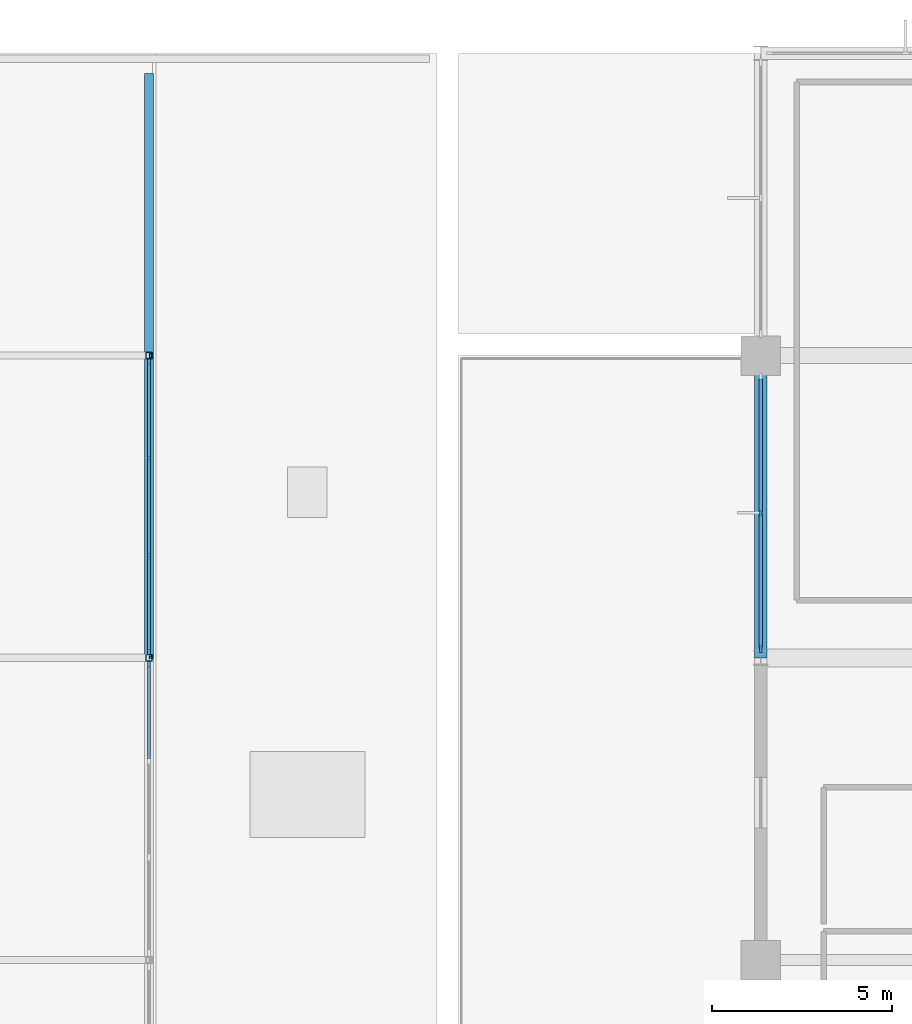
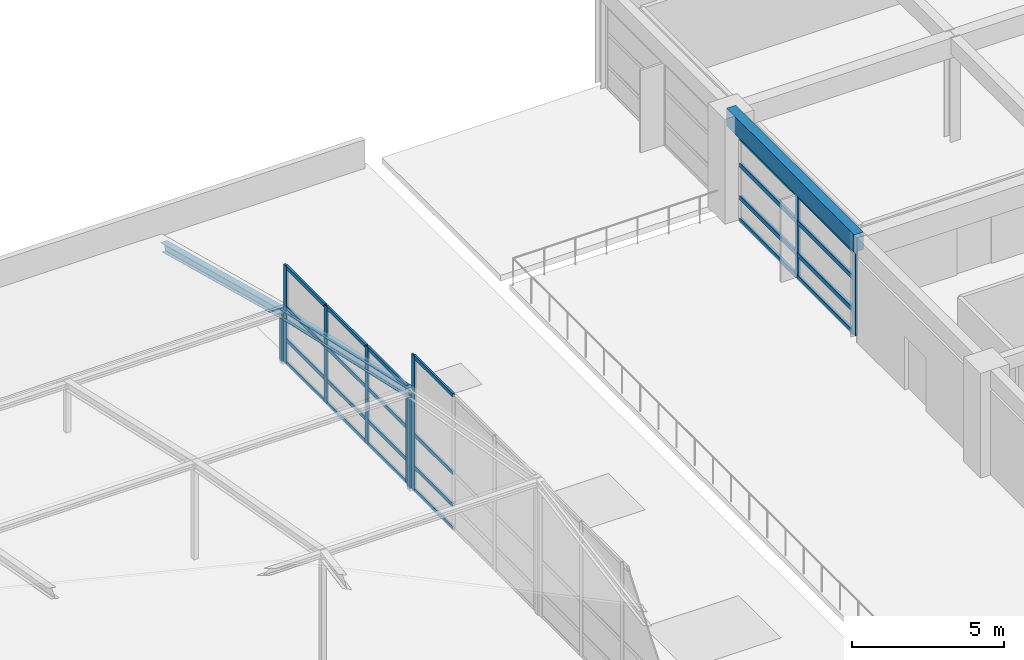
# One storey, part 23 of 34: 35 members, 1 beam, 3 elements without a shape of their own.
"""IFC4 building model written with IfcOpenShell, lengths in metres."""

from ifc_helpers import new_model, si_unit, direction, frame, origin, origin_2d, place, context, subcontext, project, spatial, rectangle, hollow_rectangle, i_section, extrude, material, material_profile, profile_set, type_object, element, aggregate, save


model = new_model("IFC4")

# Units and contexts
model_context = context("Model", 3, precision=1e-05, world=origin(), true_north=direction((0.0, 1.0)))
body_context = subcontext(model_context, "Body", "Model", "MODEL_VIEW")
ifc_project = project(units=[si_unit("LENGTHUNIT", "METRE"), si_unit("AREAUNIT", "SQUARE_METRE"), si_unit("VOLUMEUNIT", "CUBIC_METRE"), si_unit("PLANEANGLEUNIT", "RADIAN"), si_unit("MASSUNIT", "GRAM", prefix="KILO")], contexts=[model_context])

# Site, building, storey
site_placement = place(None, origin())
site = spatial("IfcSite", under=ifc_project, at=site_placement, CompositionType="ELEMENT")
building_placement = place(site_placement, origin())
building = spatial("IfcBuilding", under=site, at=building_placement, Name="Xuanlan Plaza Opera House", CompositionType="ELEMENT")
storey_placement = place(building_placement, frame((0.0, 0.0, 27.89990234375)))
storey = spatial("IfcBuildingStorey", under=building, at=storey_placement, Name="L06", CompositionType="ELEMENT", Elevation=27.89990234375)

# Curtain wall, member
ifc_material_1 = material(Name="Anodised Aluminium 6063-T6 and Low-E Glass", Category="aluminium")
curtain_wall_type_1 = type_object("IfcCurtainWallType", Name="ENV-CW-CW-06", PredefinedType="USERDEFINED", material=ifc_material_1)
curtain_wall_1_placement = place(storey_placement, origin())
curtain_wall_1 = element("IfcCurtainWall", 1, at=curtain_wall_1_placement, inside=storey, type_object=curtain_wall_type_1, Name="Acoustic Glazed Wall SHL-L06-03", ObjectType="ACOUSTIC GLAZED WALL", PredefinedType="USERDEFINED")
ifc_material_2 = material(Name="Anodised Aluminium 6063-T6", Category="aluminium")
ifc_material_profile_1 = material_profile(ifc_material_2, rectangle(XDim=0.074951171875, YDim=0.199951171875, at=origin_2d()), Name="ALU-M 75x200")
ifc_profile_set_1 = profile_set([ifc_material_profile_1], Name="Anodised Aluminium 6063-T6")
member_type_1 = type_object("IfcMemberType", Name="ENV-CWM-03", PredefinedType="MULLION", material=ifc_profile_set_1)
member_1_placement = place(storey_placement, frame((109.0, 67.012451171875, 0.0), z_axis=(0.0, 0.0, 1.0), x_axis=(-1.0, 0.0, 0.0)))
member_1 = element("IfcMember", 2, at=member_1_placement, type_object=member_type_1, Name="CW-06 mullion 4", PredefinedType="MULLION", context=body_context, shape_type="SweptSolid", body=[
    extrude(rectangle(XDim=0.074951171875, YDim=0.199951171875, at=origin_2d()), origin(), (0.0, 0.0, 1.0), 5.400146484375),
])

# Curtain wall, members
curtain_wall_2_placement = place(storey_placement, origin())
curtain_wall_2 = element("IfcCurtainWall", 3, at=curtain_wall_2_placement, inside=storey, type_object=curtain_wall_type_1, Name="Acoustic Glazed Wall SHL-L06-04", ObjectType="ACOUSTIC GLAZED WALL", PredefinedType="USERDEFINED")
member_2_placement = place(storey_placement, frame((109.0, 67.387451171875, 0.0), z_axis=(0.0, 0.0, 1.0), x_axis=(-1.0, 0.0, 0.0)))
member_2 = element("IfcMember", 4, at=member_2_placement, type_object=member_type_1, Name="CW-06 mullion 1", PredefinedType="MULLION", context=body_context, shape_type="SweptSolid", body=[
    extrude(rectangle(XDim=0.074951171875, YDim=0.199951171875, at=origin_2d()), origin(), (0.0, 0.0, 1.0), 3.900146484375),
])
member_3_placement = place(storey_placement, frame((109.0, 70.050048828125, 0.0), z_axis=(0.0, 0.0, 1.0), x_axis=(-1.0, 0.0, 0.0)))
member_3 = element("IfcMember", 5, at=member_3_placement, type_object=member_type_1, Name="CW-06 mullion 2", PredefinedType="MULLION", context=body_context, shape_type="SweptSolid", body=[
    extrude(rectangle(XDim=0.074951171875, YDim=0.199951171875, at=origin_2d()), origin(), (0.0, 0.0, 1.0), 3.900146484375),
])
member_4_placement = place(storey_placement, frame((109.0, 72.75, 0.0), z_axis=(0.0, 0.0, 1.0), x_axis=(-1.0, 0.0, 0.0)))
member_4 = element("IfcMember", 6, at=member_4_placement, type_object=member_type_1, Name="CW-06 mullion 3", PredefinedType="MULLION", context=body_context, shape_type="SweptSolid", body=[
    extrude(rectangle(XDim=0.074951171875, YDim=0.199951171875, at=origin_2d()), origin(), (0.0, 0.0, 1.0), 3.900146484375),
])
member_5_placement = place(storey_placement, frame((109.0, 75.41259765625, 0.0), z_axis=(0.0, 0.0, 1.0), x_axis=(-1.0, 0.0, 0.0)))
member_5 = element("IfcMember", 7, at=member_5_placement, type_object=member_type_1, Name="CW-06 mullion 4", PredefinedType="MULLION", context=body_context, shape_type="SweptSolid", body=[
    extrude(rectangle(XDim=0.074951171875, YDim=0.199951171875, at=origin_2d()), origin(), (0.0, 0.0, 1.0), 3.900146484375),
])

curtain_wall_type_2 = type_object("IfcCurtainWallType", Name="ENV-CW-CW-04", PredefinedType="USERDEFINED", material=ifc_material_1)
curtain_wall_3_placement = place(storey_placement, origin())
curtain_wall_3 = element("IfcCurtainWall", 8, at=curtain_wall_3_placement, inside=storey, type_object=curtain_wall_type_2, Name="Unitised Curtain Wall L06-016", ObjectType="UNITISED CURTAIN WALL", PredefinedType="USERDEFINED")
ifc_material_profile_2 = material_profile(ifc_material_2, rectangle(XDim=0.080078125, YDim=0.219970703125, at=origin_2d()), Name="ALU-M 80x220")
ifc_profile_set_2 = profile_set([ifc_material_profile_2], Name="Anodised Aluminium 6063-T6")
member_type_2 = type_object("IfcMemberType", Name="ENV-CWM-04", PredefinedType="MULLION", material=ifc_profile_set_2)
member_6_placement = place(storey_placement, frame((126.0, 71.22509765625, 0.0), z_axis=(0.0, 0.0, 1.0), x_axis=(1.0, 0.0, 0.0)))
member_6 = element("IfcMember", 9, at=member_6_placement, type_object=member_type_2, Name="CW-04 mullion 2", PredefinedType="MULLION", context=body_context, shape_type="SweptSolid", body=[
    extrude(rectangle(XDim=0.080078125, YDim=0.219970703125, at=origin_2d()), origin(), (0.0, 0.0, 1.0), 3.380126953125),
])
member_7_placement = place(storey_placement, frame((126.0, 67.4599609375, 0.0), z_axis=(0.0, 0.0, 1.0), x_axis=(1.0, 0.0, 0.0)))
member_7 = element("IfcMember", 10, at=member_7_placement, type_object=member_type_2, Name="CW-04 mullion 3", PredefinedType="MULLION", context=body_context, shape_type="SweptSolid", body=[
    extrude(rectangle(XDim=0.080078125, YDim=0.219970703125, at=origin_2d()), origin(), (0.0, 0.0, 1.0), 3.380126953125),
])

# Member
ifc_material_profile_3 = material_profile(ifc_material_2, rectangle(XDim=0.074951171875, YDim=0.14990234375, at=origin_2d()), Name="ALU-T 75x150")
ifc_profile_set_3 = profile_set([ifc_material_profile_3], Name="Anodised Aluminium 6063-T6")
member_type_3 = type_object("IfcMemberType", Name="ENV-CWT-03", PredefinedType="USERDEFINED", material=ifc_profile_set_3)
member_8_placement = place(storey_placement, frame((109.0, 64.387451171875, 0.03759765625), z_axis=(0.0, 1.0, 0.0), x_axis=(-1.0, 0.0, 0.0)))
member_8 = element("IfcMember", 11, at=member_8_placement, type_object=member_type_3, Name="CW-06 transom 3.1", ObjectType="TRANSOM", PredefinedType="USERDEFINED", context=body_context, shape_type="SweptSolid", body=[
    extrude(rectangle(XDim=0.074951171875, YDim=0.14990234375, at=origin_2d()), origin(), (0.0, 0.0, 1.0), 2.587646484375),
])

member_9_placement = place(storey_placement, frame((109.0, 64.387451171875, 0.9501953125), z_axis=(0.0, 1.0, 0.0), x_axis=(-1.0, 0.0, 0.0)))
member_9 = element("IfcMember", 12, at=member_9_placement, type_object=member_type_3, Name="CW-06 transom 3.2", ObjectType="TRANSOM", PredefinedType="USERDEFINED", context=body_context, shape_type="SweptSolid", body=[
    extrude(rectangle(XDim=0.074951171875, YDim=0.14990234375, at=origin_2d()), origin(), (0.0, 0.0, 1.0), 2.587646484375),
])

member_10_placement = place(storey_placement, frame((109.0, 64.387451171875, 2.25), z_axis=(0.0, 1.0, 0.0), x_axis=(-1.0, 0.0, 0.0)))
member_10 = element("IfcMember", 13, at=member_10_placement, type_object=member_type_3, Name="CW-06 transom 3.3", ObjectType="TRANSOM", PredefinedType="USERDEFINED", context=body_context, shape_type="SweptSolid", body=[
    extrude(rectangle(XDim=0.074951171875, YDim=0.14990234375, at=origin_2d()), origin(), (0.0, 0.0, 1.0), 2.587646484375),
])

member_11_placement = place(storey_placement, frame((109.0, 64.387451171875, 5.362548828125), z_axis=(0.0, 1.0, 0.0), x_axis=(-1.0, 0.0, 0.0)))
member_11 = element("IfcMember", 14, at=member_11_placement, type_object=member_type_3, Name="CW-06 transom 3.4", ObjectType="TRANSOM", PredefinedType="USERDEFINED", context=body_context, shape_type="SweptSolid", body=[
    extrude(rectangle(XDim=0.074951171875, YDim=0.14990234375, at=origin_2d()), origin(), (0.0, 0.0, 1.0), 2.587646484375),
])

aggregate(curtain_wall_1, [member_1, member_8, member_9, member_10, member_11])

member_12_placement = place(storey_placement, frame((109.0, 67.425048828125, 0.03759765625), z_axis=(0.0, 1.0, 0.0), x_axis=(-1.0, 0.0, 0.0)))
member_12 = element("IfcMember", 15, at=member_12_placement, type_object=member_type_3, Name="CW-06 transom 1.1", ObjectType="TRANSOM", PredefinedType="USERDEFINED", context=body_context, shape_type="SweptSolid", body=[
    extrude(rectangle(XDim=0.074951171875, YDim=0.14990234375, at=origin_2d()), origin(), (0.0, 0.0, 1.0), 2.58740234375),
])

member_13_placement = place(storey_placement, frame((109.0, 67.425048828125, 0.9501953125), z_axis=(0.0, 1.0, 0.0), x_axis=(-1.0, 0.0, 0.0)))
member_13 = element("IfcMember", 16, at=member_13_placement, type_object=member_type_3, Name="CW-06 transom 1.2", ObjectType="TRANSOM", PredefinedType="USERDEFINED", context=body_context, shape_type="SweptSolid", body=[
    extrude(rectangle(XDim=0.074951171875, YDim=0.14990234375, at=origin_2d()), origin(), (0.0, 0.0, 1.0), 2.58740234375),
])

member_14_placement = place(storey_placement, frame((109.0, 67.425048828125, 2.25), z_axis=(0.0, 1.0, 0.0), x_axis=(-1.0, 0.0, 0.0)))
member_14 = element("IfcMember", 17, at=member_14_placement, type_object=member_type_3, Name="CW-06 transom 1.3", ObjectType="TRANSOM", PredefinedType="USERDEFINED", context=body_context, shape_type="SweptSolid", body=[
    extrude(rectangle(XDim=0.074951171875, YDim=0.14990234375, at=origin_2d()), origin(), (0.0, 0.0, 1.0), 2.58740234375),
])

member_15_placement = place(storey_placement, frame((109.0, 67.425048828125, 3.862548828125), z_axis=(0.0, 1.0, 0.0), x_axis=(-1.0, 0.0, 0.0)))
member_15 = element("IfcMember", 18, at=member_15_placement, type_object=member_type_3, Name="CW-06 transom 1.4", ObjectType="TRANSOM", PredefinedType="USERDEFINED", context=body_context, shape_type="SweptSolid", body=[
    extrude(rectangle(XDim=0.074951171875, YDim=0.14990234375, at=origin_2d()), origin(), (0.0, 0.0, 1.0), 2.58740234375),
])

member_16_placement = place(storey_placement, frame((109.0, 70.08740234375, 0.03759765625), z_axis=(0.0, 1.0, 0.0), x_axis=(-1.0, 0.0, 0.0)))
member_16 = element("IfcMember", 19, at=member_16_placement, type_object=member_type_3, Name="CW-06 transom 2.1", ObjectType="TRANSOM", PredefinedType="USERDEFINED", context=body_context, shape_type="SweptSolid", body=[
    extrude(rectangle(XDim=0.074951171875, YDim=0.14990234375, at=origin_2d()), origin(), (0.0, 0.0, 1.0), 2.625),
])

member_17_placement = place(storey_placement, frame((109.0, 70.08740234375, 0.9501953125), z_axis=(0.0, 1.0, 0.0), x_axis=(-1.0, 0.0, 0.0)))
member_17 = element("IfcMember", 20, at=member_17_placement, type_object=member_type_3, Name="CW-06 transom 2.2", ObjectType="TRANSOM", PredefinedType="USERDEFINED", context=body_context, shape_type="SweptSolid", body=[
    extrude(rectangle(XDim=0.074951171875, YDim=0.14990234375, at=origin_2d()), origin(), (0.0, 0.0, 1.0), 2.625),
])

member_18_placement = place(storey_placement, frame((109.0, 70.08740234375, 2.25), z_axis=(0.0, 1.0, 0.0), x_axis=(-1.0, 0.0, 0.0)))
member_18 = element("IfcMember", 21, at=member_18_placement, type_object=member_type_3, Name="CW-06 transom 2.3", ObjectType="TRANSOM", PredefinedType="USERDEFINED", context=body_context, shape_type="SweptSolid", body=[
    extrude(rectangle(XDim=0.074951171875, YDim=0.14990234375, at=origin_2d()), origin(), (0.0, 0.0, 1.0), 2.625),
])

member_19_placement = place(storey_placement, frame((109.0, 70.08740234375, 3.862548828125), z_axis=(0.0, 1.0, 0.0), x_axis=(-1.0, 0.0, 0.0)))
member_19 = element("IfcMember", 22, at=member_19_placement, type_object=member_type_3, Name="CW-06 transom 2.4", ObjectType="TRANSOM", PredefinedType="USERDEFINED", context=body_context, shape_type="SweptSolid", body=[
    extrude(rectangle(XDim=0.074951171875, YDim=0.14990234375, at=origin_2d()), origin(), (0.0, 0.0, 1.0), 2.625),
])

member_20_placement = place(storey_placement, frame((109.0, 72.78759765625, 0.03759765625), z_axis=(0.0, 1.0, 0.0), x_axis=(-1.0, 0.0, 0.0)))
member_20 = element("IfcMember", 23, at=member_20_placement, type_object=member_type_3, Name="CW-06 transom 3.1", ObjectType="TRANSOM", PredefinedType="USERDEFINED", context=body_context, shape_type="SweptSolid", body=[
    extrude(rectangle(XDim=0.074951171875, YDim=0.14990234375, at=origin_2d()), origin(), (0.0, 0.0, 1.0), 2.58740234375),
])

member_21_placement = place(storey_placement, frame((109.0, 72.78759765625, 0.9501953125), z_axis=(0.0, 1.0, 0.0), x_axis=(-1.0, 0.0, 0.0)))
member_21 = element("IfcMember", 24, at=member_21_placement, type_object=member_type_3, Name="CW-06 transom 3.2", ObjectType="TRANSOM", PredefinedType="USERDEFINED", context=body_context, shape_type="SweptSolid", body=[
    extrude(rectangle(XDim=0.074951171875, YDim=0.14990234375, at=origin_2d()), origin(), (0.0, 0.0, 1.0), 2.58740234375),
])

member_22_placement = place(storey_placement, frame((109.0, 72.78759765625, 2.25), z_axis=(0.0, 1.0, 0.0), x_axis=(-1.0, 0.0, 0.0)))
member_22 = element("IfcMember", 25, at=member_22_placement, type_object=member_type_3, Name="CW-06 transom 3.3", ObjectType="TRANSOM", PredefinedType="USERDEFINED", context=body_context, shape_type="SweptSolid", body=[
    extrude(rectangle(XDim=0.074951171875, YDim=0.14990234375, at=origin_2d()), origin(), (0.0, 0.0, 1.0), 2.58740234375),
])

member_23_placement = place(storey_placement, frame((109.0, 72.78759765625, 3.862548828125), z_axis=(0.0, 1.0, 0.0), x_axis=(-1.0, 0.0, 0.0)))
member_23 = element("IfcMember", 26, at=member_23_placement, type_object=member_type_3, Name="CW-06 transom 3.4", ObjectType="TRANSOM", PredefinedType="USERDEFINED", context=body_context, shape_type="SweptSolid", body=[
    extrude(rectangle(XDim=0.074951171875, YDim=0.14990234375, at=origin_2d()), origin(), (0.0, 0.0, 1.0), 2.58740234375),
])

aggregate(curtain_wall_2, [member_2, member_3, member_4, member_5, member_12, member_13, member_14, member_15, member_16, member_17, member_18, member_19, member_20, member_21, member_22, member_23])

ifc_material_profile_4 = material_profile(ifc_material_2, rectangle(XDim=0.090087890625, YDim=0.179931640625, at=origin_2d()), Name="ALU-T 90x180")
ifc_profile_set_4 = profile_set([ifc_material_profile_4], Name="Anodised Aluminium 6063-T6")
member_type_4 = type_object("IfcMemberType", Name="ENV-CWT-05", PredefinedType="USERDEFINED", material=ifc_profile_set_4)
member_24_placement = place(storey_placement, frame((126.0, 74.949951171875, 0.045166015625), z_axis=(0.0, -1.0, 0.0), x_axis=(1.0, 0.0, 0.0)))
member_24 = element("IfcMember", 27, at=member_24_placement, type_object=member_type_4, Name="CW-04 transom 1.1", ObjectType="TRANSOM", PredefinedType="USERDEFINED", context=body_context, shape_type="SweptSolid", body=[
    extrude(rectangle(XDim=0.090087890625, YDim=0.179931640625, at=origin_2d()), origin(), (0.0, 0.0, 1.0), 3.68505859375),
])

member_25_placement = place(storey_placement, frame((126.0, 74.949951171875, 0.9501953125), z_axis=(0.0, -1.0, 0.0), x_axis=(1.0, 0.0, 0.0)))
member_25 = element("IfcMember", 28, at=member_25_placement, type_object=member_type_4, Name="CW-04 transom 1.2", ObjectType="TRANSOM", PredefinedType="USERDEFINED", context=body_context, shape_type="SweptSolid", body=[
    extrude(rectangle(XDim=0.090087890625, YDim=0.179931640625, at=origin_2d()), origin(), (0.0, 0.0, 1.0), 3.68505859375),
])

member_26_placement = place(storey_placement, frame((126.0, 74.949951171875, 2.25), z_axis=(0.0, -1.0, 0.0), x_axis=(1.0, 0.0, 0.0)))
member_26 = element("IfcMember", 29, at=member_26_placement, type_object=member_type_4, Name="CW-04 transom 1.3", ObjectType="TRANSOM", PredefinedType="USERDEFINED", context=body_context, shape_type="SweptSolid", body=[
    extrude(rectangle(XDim=0.090087890625, YDim=0.179931640625, at=origin_2d()), origin(), (0.0, 0.0, 1.0), 3.68505859375),
])

member_27_placement = place(storey_placement, frame((126.0, 74.949951171875, 3.335205078125), z_axis=(0.0, -1.0, 0.0), x_axis=(1.0, 0.0, 0.0)))
member_27 = element("IfcMember", 30, at=member_27_placement, type_object=member_type_4, Name="CW-04 transom 1.4", ObjectType="TRANSOM", PredefinedType="USERDEFINED", context=body_context, shape_type="SweptSolid", body=[
    extrude(rectangle(XDim=0.090087890625, YDim=0.179931640625, at=origin_2d()), origin(), (0.0, 0.0, 1.0), 3.68505859375),
])

member_28_placement = place(storey_placement, frame((126.0, 71.18505859375, 0.045166015625), z_axis=(0.0, -1.0, 0.0), x_axis=(1.0, 0.0, 0.0)))
member_28 = element("IfcMember", 31, at=member_28_placement, type_object=member_type_4, Name="CW-04 transom 2.1", ObjectType="TRANSOM", PredefinedType="USERDEFINED", context=body_context, shape_type="SweptSolid", body=[
    extrude(rectangle(XDim=0.090087890625, YDim=0.179931640625, at=origin_2d()), origin(), (0.0, 0.0, 1.0), 3.68505859375),
])

member_29_placement = place(storey_placement, frame((126.0, 71.18505859375, 0.9501953125), z_axis=(0.0, -1.0, 0.0), x_axis=(1.0, 0.0, 0.0)))
member_29 = element("IfcMember", 32, at=member_29_placement, type_object=member_type_4, Name="CW-04 transom 2.2", ObjectType="TRANSOM", PredefinedType="USERDEFINED", context=body_context, shape_type="SweptSolid", body=[
    extrude(rectangle(XDim=0.090087890625, YDim=0.179931640625, at=origin_2d()), origin(), (0.0, 0.0, 1.0), 3.68505859375),
])

member_30_placement = place(storey_placement, frame((126.0, 71.18505859375, 2.25), z_axis=(0.0, -1.0, 0.0), x_axis=(1.0, 0.0, 0.0)))
member_30 = element("IfcMember", 33, at=member_30_placement, type_object=member_type_4, Name="CW-04 transom 2.3", ObjectType="TRANSOM", PredefinedType="USERDEFINED", context=body_context, shape_type="SweptSolid", body=[
    extrude(rectangle(XDim=0.090087890625, YDim=0.179931640625, at=origin_2d()), origin(), (0.0, 0.0, 1.0), 3.68505859375),
])

member_31_placement = place(storey_placement, frame((126.0, 71.18505859375, 3.335205078125), z_axis=(0.0, -1.0, 0.0), x_axis=(1.0, 0.0, 0.0)))
member_31 = element("IfcMember", 34, at=member_31_placement, type_object=member_type_4, Name="CW-04 transom 2.4", ObjectType="TRANSOM", PredefinedType="USERDEFINED", context=body_context, shape_type="SweptSolid", body=[
    extrude(rectangle(XDim=0.090087890625, YDim=0.179931640625, at=origin_2d()), origin(), (0.0, 0.0, 1.0), 3.68505859375),
])

aggregate(curtain_wall_3, [member_6, member_7, member_24, member_25, member_26, member_27, member_28, member_29, member_30, member_31])

# Beam
ifc_material_3 = material(Name="Concrete C40", Category="concrete")
ifc_material_profile_5 = material_profile(ifc_material_3, rectangle(XDim=0.35009765625, YDim=0.699951171875, at=origin_2d()), Name="RC-SPD 350x700")
ifc_profile_set_5 = profile_set([ifc_material_profile_5], Name="Concrete C40")
beam_type = type_object("IfcBeamType", Name="STR-BM-SP-02", PredefinedType="SPANDREL", material=ifc_profile_set_5)
beam_placement = place(storey_placement, frame((126.0, 67.199951171875, 3.85009765625), z_axis=(0.0, 1.0, 0.0), x_axis=(-1.0, 0.0, 0.0)))
element("IfcBeam", 35, at=beam_placement, inside=storey, type_object=beam_type, Name="Grid Beam Y L06 16/I-J", PredefinedType="SPANDREL", context=body_context, shape_type="SweptSolid", body=[
    extrude(rectangle(XDim=0.35009765625, YDim=0.699951171875, at=origin_2d()), origin(), (0.0, 0.0, 1.0), 8.400146484375),
])

# Members
ifc_material_4 = material(Name="Steel Q355B", Category="steel")
ifc_material_profile_6 = material_profile(ifc_material_4, hollow_rectangle(XDim=0.179931640625, YDim=0.179931640625, WallThickness=0.010009765625, at=origin_2d()), Name="SHS 180x180x10")
ifc_profile_set_6 = profile_set([ifc_material_profile_6], Name="Steel Q355B")
member_type_5 = type_object("IfcMemberType", Name="STR-MEM-ST-M2", PredefinedType="STRUT", material=ifc_profile_set_6)
member_32_placement = place(storey_placement, frame((109.0, 67.199951171875, -0.119873046875), z_axis=(0.0, 0.0, 1.0), x_axis=(1.0, 0.0, 0.0)))
element("IfcMember", 36, at=member_32_placement, inside=storey, type_object=member_type_5, Name="Auditorium Vault Arch Post 06-4", PredefinedType="STRUT", context=body_context, shape_type="SweptSolid", body=[
    extrude(hollow_rectangle(XDim=0.179931640625, YDim=0.179931640625, WallThickness=0.010009765625, at=origin_2d()), origin(), (0.0, 0.0, 1.0), 3.89990234375),
])
member_33_placement = place(storey_placement, frame((109.0, 75.60009765625, -0.119873046875), z_axis=(0.0, 0.0, 1.0), x_axis=(1.0, 0.0, 0.0)))
element("IfcMember", 37, at=member_33_placement, inside=storey, type_object=member_type_5, Name="Auditorium Vault Arch Post 06-5", PredefinedType="STRUT", context=body_context, shape_type="SweptSolid", body=[
    extrude(hollow_rectangle(XDim=0.179931640625, YDim=0.179931640625, WallThickness=0.010009765625, at=origin_2d()), origin(), (0.0, 0.0, 1.0), 2.0),
])
ifc_material_profile_7 = material_profile(ifc_material_4, i_section(OverallWidth=0.25, OverallDepth=0.340087890625, WebThickness=0.009033203125, FlangeThickness=0.013916015625, FilletRadius=0.01611328125, at=origin_2d()), Name="HM 340x250x9x14")
ifc_profile_set_7 = profile_set([ifc_material_profile_7], Name="Steel Q355B")
member_type_6 = type_object("IfcMemberType", Name="STR-MEM-TC-01", PredefinedType="CHORD", material=ifc_profile_set_7)
member_34_placement = place(storey_placement, frame((109.0, 67.199951171875, 3.780029296875), z_axis=(0.0, 0.975363729385, -0.220602800072), x_axis=(-1.0, 0.0, 0.0)))
element("IfcMember", 38, at=member_34_placement, inside=storey, type_object=member_type_6, Name="Auditorium Parabolic Vault Arch Chord 06-5", PredefinedType="CHORD", context=body_context, shape_type="SweptSolid", body=[
    extrude(i_section(OverallWidth=0.25, OverallDepth=0.340087890625, WebThickness=0.009033203125, FlangeThickness=0.013916015625, FilletRadius=0.01611328125, at=origin_2d()), origin(), (0.0, 0.0, 1.0), 8.6123046875),
])
member_35_placement = place(storey_placement, frame((109.0, 75.60009765625, 1.880126953125), z_axis=(0.0, 0.96684599926, -0.255360164698), x_axis=(-1.0, 0.0, 0.0)))
element("IfcMember", 39, at=member_35_placement, inside=storey, type_object=member_type_6, Name="Auditorium Parabolic Vault Arch Chord 06-6", PredefinedType="CHORD", context=body_context, shape_type="SweptSolid", body=[
    extrude(i_section(OverallWidth=0.25, OverallDepth=0.340087890625, WebThickness=0.009033203125, FlangeThickness=0.013916015625, FilletRadius=0.01611328125, at=origin_2d()), origin(), (0.0, 0.0, 1.0), 8.0673828125),
])

save(model, "model.ifc")
